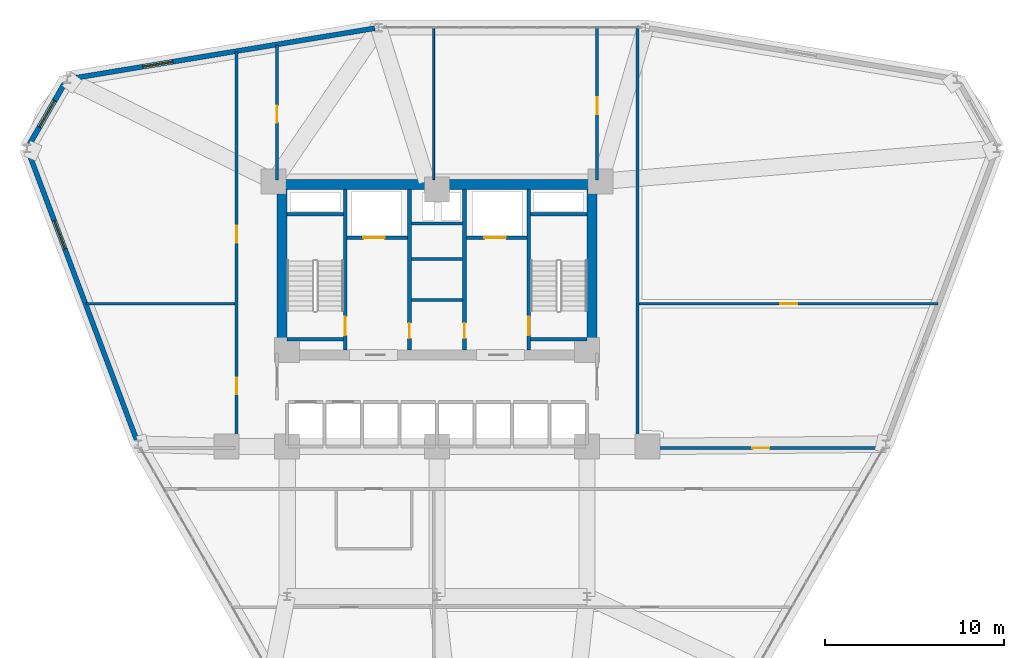
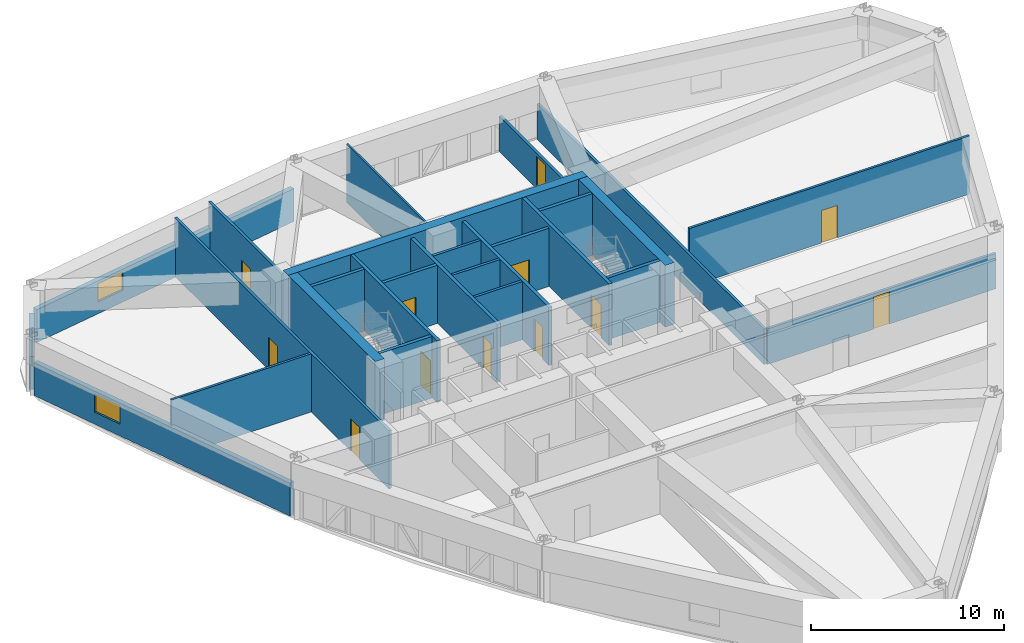
# One storey, part 14 of 17: 27 walls, 12 doors, 3 windows, 15 openings.
"""IFC4 building model written with IfcOpenShell, lengths in metres."""

from ifc_helpers import new_model, si_unit, derived_unit, direction, frame, frame_2d, origin, place, context, subcontext, project, spatial, rectangle, extrude, material, layer, layer_set, type_object, element, fill, save


model = new_model("IFC4")

# Units and contexts
model_context = context("Model", 3, precision=1e-05, world=origin(), true_north=direction((0.0, 1.0)))
body_context = subcontext(model_context, "Body", "Model", "MODEL_VIEW")
ifc_project = project(units=[si_unit("LENGTHUNIT", "METRE"), si_unit("AREAUNIT", "SQUARE_METRE"), si_unit("VOLUMEUNIT", "CUBIC_METRE"), si_unit("PLANEANGLEUNIT", "RADIAN"), si_unit("MASSUNIT", "GRAM", prefix="KILO"), derived_unit("THERMALTRANSMITTANCEUNIT", [(si_unit("POWERUNIT", "WATT"), 1), (si_unit("LENGTHUNIT", "METRE"), -2), (si_unit("THERMODYNAMICTEMPERATUREUNIT", "KELVIN"), -1)])], contexts=[model_context])

# Site, building, storey
site_placement = place(None, origin())
site = spatial("IfcSite", under=ifc_project, at=site_placement, CompositionType="ELEMENT")
building_placement = place(site_placement, origin())
building = spatial("IfcBuilding", under=site, at=building_placement, Name="Korsvarv Bourse and Concert Hall", CompositionType="ELEMENT")
storey_placement = place(building_placement, frame((0.0, 0.0, 83.39990234375)))
storey = spatial("IfcBuildingStorey", under=building, at=storey_placement, Name="L20", CompositionType="ELEMENT", Elevation=83.39990234375)

# Wall, opening, door
ifc_material_1 = material(Name="Concrete C50/60", Category="concrete")
ifc_layer_1 = layer(ifc_material_1, 0.3798828125)
ifc_layer_set_1 = layer_set([ifc_layer_1], Name="Concrete C50/60")
wall_type_1 = type_object("IfcWallType", Name="WL-CORE-380", PredefinedType="SHEAR", material=ifc_layer_set_1)
wall_1_placement = place(storey_placement, frame((30.860107421875, 37.81005859375, 0.0), z_axis=(0.0, 0.0, 1.0), x_axis=(0.0, 1.0, 0.0)))
wall_1 = element("IfcWall", 1, at=wall_1_placement, inside=storey, type_object=wall_type_1, Name="L20 stair shaft structural wall W-L20-ST1-E", PredefinedType="SHEAR", context=body_context, shape_type="SweptSolid", body=[
    extrude(rectangle(XDim=8.97998046875, YDim=0.199951171875, at=frame_2d((4.489990234375, 0.0))), origin(), (0.0, 0.0, 1.0), 3.900146484375),
])
opening_1_placement = place(wall_1_placement, frame((0.820068359375, 0.0, 0.0)))
opening_1 = element("IfcOpeningElement", 2, at=opening_1_placement, cuts=wall_1, Name="Opening D-01", PredefinedType="OPENING", context=body_context, shape_type="SweptSolid", body=[
    extrude(rectangle(XDim=1.050048828125, YDim=2.10009765625, at=frame_2d((0.52490234375, 1.050048828125))), frame((0.0, 0.10986328125, 0.0), z_axis=(0.0, -1.0, 0.0), x_axis=(1.0, 0.0, 0.0)), (0.0, 0.0, 1.0), 0.219970703125),
])
ifc_material_2 = material(Name="Steel S355 fire door", Category="steel")
door_type_1 = type_object("IfcDoorType", Name="DR-FD60", OperationType="NOTDEFINED", PredefinedType="DOOR", material=ifc_material_2)
door_1_placement = place(opening_1_placement, origin())
door_1 = element("IfcDoor", 3, at=door_1_placement, inside=storey, type_object=door_type_1, Name="L20 interior door DR-L20-ST1", OperationType="SINGLE_SWING_RIGHT", OverallHeight=2.10009765625, OverallWidth=1.050048828125, PredefinedType="DOOR", context=body_context, shape_type="SweptSolid", body=[
    extrude(rectangle(XDim=1.050048828125, YDim=2.10009765625, at=frame_2d((0.52490234375, 1.050048828125))), frame((0.0, 0.02490234375, 0.0), z_axis=(0.0, -1.0, 0.0), x_axis=(1.0, 0.0, 0.0)), (0.0, 0.0, 1.0), 0.050048828125),
])
fill(opening_1, door_1)

# Walls
for number, where, z_axis, x_axis, name in (
    (4, (27.610107421875, 45.39990234375, 0.0), (0.0, 0.0, 1.0), (1.0, 0.0, 0.0), "L20 stair shaft structural wall W-L20-ST1-N"),
    (5, (27.610107421875, 38.39990234375, 0.0), (0.0, 0.0, 1.0), (1.0, 0.0, 0.0), "L20 stair shaft structural wall W-L20-ST1-S"),
):
    element("IfcWall", number, at=place(storey_placement, frame(where, z_axis=z_axis, x_axis=x_axis)), inside=storey, type_object=wall_type_1, Name=name, PredefinedType="SHEAR", context=body_context, shape_type="SweptSolid", body=[
        extrude(rectangle(XDim=3.139892578125, YDim=0.199951171875, at=frame_2d((1.56982421875, 0.0))), origin(), (0.0, 0.0, 1.0), 3.900146484375),
    ])

# Wall, opening, door
wall_2_placement = place(storey_placement, frame((41.139892578125, 37.81005859375, 0.0), z_axis=(0.0, 0.0, 1.0), x_axis=(0.0, 1.0, 0.0)))
wall_2 = element("IfcWall", 6, at=wall_2_placement, inside=storey, type_object=wall_type_1, Name="L20 stair shaft structural wall W-L20-ST2-W", PredefinedType="SHEAR", context=body_context, shape_type="SweptSolid", body=[
    extrude(rectangle(XDim=8.97998046875, YDim=0.199951171875, at=frame_2d((4.489990234375, 0.0))), origin(), (0.0, 0.0, 1.0), 3.900146484375),
])
opening_2_placement = place(wall_2_placement, frame((0.820068359375, 0.0, 0.0)))
opening_2 = element("IfcOpeningElement", 7, at=opening_2_placement, cuts=wall_2, Name="Opening D-01", PredefinedType="OPENING", context=body_context, shape_type="SweptSolid", body=[
    extrude(rectangle(XDim=1.050048828125, YDim=2.10009765625, at=frame_2d((0.52490234375, 1.050048828125))), frame((0.0, 0.10986328125, 0.0), z_axis=(0.0, -1.0, 0.0), x_axis=(1.0, 0.0, 0.0)), (0.0, 0.0, 1.0), 0.219970703125),
])
door_2_placement = place(opening_2_placement, frame((1.050048828125, 0.0, 0.0), z_axis=(0.0, 0.0, 1.0), x_axis=(-1.0, 0.0, 0.0)))
door_2 = element("IfcDoor", 8, at=door_2_placement, inside=storey, type_object=door_type_1, Name="L20 interior door DR-L20-ST2", OperationType="SINGLE_SWING_LEFT", OverallHeight=2.10009765625, OverallWidth=1.050048828125, PredefinedType="DOOR", context=body_context, shape_type="SweptSolid", body=[
    extrude(rectangle(XDim=1.050048828125, YDim=2.10009765625, at=frame_2d((0.52490234375, 1.050048828125))), frame((0.0, 0.02490234375, 0.0), z_axis=(0.0, -1.0, 0.0), x_axis=(1.0, 0.0, 0.0)), (0.0, 0.0, 1.0), 0.050048828125),
])
fill(opening_2, door_2)

# Walls
for number, where, z_axis, x_axis, name in (
    (9, (41.25, 45.39990234375, 0.0), (0.0, 0.0, 1.0), (1.0, 0.0, 0.0), "L20 stair shaft structural wall W-L20-ST2-N"),
    (10, (41.25, 38.39990234375, 0.0), (0.0, 0.0, 1.0), (1.0, 0.0, 0.0), "L20 stair shaft structural wall W-L20-ST2-S"),
):
    element("IfcWall", number, at=place(storey_placement, frame(where, z_axis=z_axis, x_axis=x_axis)), inside=storey, type_object=wall_type_1, Name=name, PredefinedType="SHEAR", context=body_context, shape_type="SweptSolid", body=[
        extrude(rectangle(XDim=3.139892578125, YDim=0.199951171875, at=frame_2d((1.56982421875, 0.0))), origin(), (0.0, 0.0, 1.0), 3.900146484375),
    ])
ifc_material_3 = material(Name="Concrete C60/75", Category="concrete")
ifc_layer_2 = layer(ifc_material_3, 0.550048828125)
ifc_layer_set_2 = layer_set([ifc_layer_2], Name="Concrete C60/75")
wall_type_2 = type_object("IfcWallType", Name="WL-CORE-550", PredefinedType="SHEAR", material=ifc_layer_set_2)
wall_3_placement = place(storey_placement, frame((27.050048828125, 47.074951171875, 0.0), z_axis=(0.0, 0.0, 1.0), x_axis=(1.0, 0.0, 0.0)))
element("IfcWall", 11, at=wall_3_placement, inside=storey, type_object=wall_type_2, Name="L20 North Core Shear Wall", PredefinedType="SHEAR", context=body_context, shape_type="SweptSolid", body=[
    extrude(rectangle(XDim=17.89990234375, YDim=0.550048828125, at=frame_2d((8.949951171875, 0.0))), origin(), (0.0, 0.0, 1.0), 3.900146484375),
])
for number, where, z_axis, x_axis, name in (
    (12, (27.324951171875, 37.800048828125, 0.0), (0.0, 0.0, 1.0), (0.0, 1.0, 0.0), "L20 West Core Shear Wall"),
    (13, (44.675048828125, 37.800048828125, 0.0), (0.0, 0.0, 1.0), (0.0, 1.0, 0.0), "L20 East Core Shear Wall"),
):
    element("IfcWall", number, at=place(storey_placement, frame(where, z_axis=z_axis, x_axis=x_axis)), inside=storey, type_object=wall_type_2, Name=name, PredefinedType="SHEAR", context=body_context, shape_type="SweptSolid", body=[
        extrude(rectangle(XDim=9.0, YDim=0.550048828125, at=frame_2d((4.5, 0.0))), origin(), (0.0, 0.0, 1.0), 3.900146484375),
    ])

# Wall, opening, window
ifc_material_4 = material(Name="Precast concrete C45/55 with terracotta rainscreen", Category="concrete")
ifc_layer_3 = layer(ifc_material_4, 0.300048828125)
ifc_layer_set_3 = layer_set([ifc_layer_3], Name="Precast concrete C45/55 with terracotta rainscreen")
wall_type_3 = type_object("IfcWallType", Name="WL-EXT-TC1", PredefinedType="SOLIDWALL", material=ifc_layer_set_3)
wall_4_placement = place(storey_placement, frame((15.13232421875, 52.72998046875, 0.0), z_axis=(0.0, 0.0, 1.0), x_axis=(-0.500014353419, -0.866017116675, 0.0)))
wall_4 = element("IfcWall", 14, at=wall_4_placement, inside=storey, type_object=wall_type_3, Name="L20 terracotta exterior wall EW-L20-B05", PredefinedType="SOLIDWALL", context=body_context, shape_type="SweptSolid", body=[
    extrude(rectangle(XDim=3.90966796875, YDim=0.300048828125, at=frame_2d((1.954833984375, 0.0))), origin(), (0.0, 0.0, 1.0), 2.080078125),
])
opening_3_placement = place(wall_4_placement, frame((1.104736328125, 0.0, 0.75)))
opening_3 = element("IfcOpeningElement", 15, at=opening_3_placement, cuts=wall_4, Name="Opening W-06", PredefinedType="OPENING", context=body_context, shape_type="SweptSolid", body=[
    extrude(rectangle(XDim=1.699951171875, YDim=1.14990234375, at=frame_2d((0.85009765625, 0.574951171875))), frame((0.0, 0.16015625, 0.0), z_axis=(0.0, -1.0, 0.0), x_axis=(1.0, 0.0, 0.0)), (0.0, 0.0, 1.0), 0.320068359375),
])
ifc_material_5 = material(Name="Thermally broken aluminium frame with triple low-E glass", Category="glass")
window_type = type_object("IfcWindowType", Name="WIN-TW1-1700X1150", PartitioningType="SINGLE_PANEL", PredefinedType="WINDOW", material=ifc_material_5)
window_1_placement = place(opening_3_placement, origin())
window_1 = element("IfcWindow", 16, at=window_1_placement, inside=storey, type_object=window_type, Name="L20 punched facade window W-06", OverallHeight=1.14990234375, OverallWidth=1.699951171875, PartitioningType="SINGLE_PANEL", PredefinedType="WINDOW", context=body_context, shape_type="SweptSolid", body=[
    extrude(rectangle(XDim=1.699951171875, YDim=1.14990234375, at=frame_2d((0.85009765625, 0.574951171875))), frame((0.0, 0.030029296875, 0.0), z_axis=(0.0, -1.0, 0.0), x_axis=(1.0, 0.0, 0.0)), (0.0, 0.0, 1.0), 0.06005859375),
])
fill(opening_3, window_1)

ifc_material_6 = material(Name="Precast concrete C45/55 with fluted terracotta pier", Category="concrete")
ifc_layer_4 = layer(ifc_material_6, 0.280029296875)
ifc_layer_set_4 = layer_set([ifc_layer_4], Name="Precast concrete C45/55 with fluted terracotta pier")
wall_type_4 = type_object("IfcWallType", Name="WL-EXT-TC2", PredefinedType="SOLIDWALL", material=ifc_layer_set_4)
wall_5_placement = place(storey_placement, frame((32.514404296875, 55.831787109375, 0.0), z_axis=(0.0, 0.0, 1.0), x_axis=(-0.986523610756, -0.163618964122, 0.0)))
wall_5 = element("IfcWall", 17, at=wall_5_placement, inside=storey, type_object=wall_type_4, Name="L20 terracotta exterior wall EW-L20-B04", PredefinedType="SOLIDWALL", context=body_context, shape_type="SweptSolid", body=[
    extrude(rectangle(XDim=17.258056640625, YDim=0.280029296875, at=frame_2d((8.62890625, 0.0))), origin(), (0.0, 0.0, 1.0), 2.080078125),
])
opening_4_placement = place(wall_5_placement, frame((11.468505859375, 0.0, 0.75)))
opening_4 = element("IfcOpeningElement", 18, at=opening_4_placement, cuts=wall_5, Name="Opening W-06", PredefinedType="OPENING", context=body_context, shape_type="SweptSolid", body=[
    extrude(rectangle(XDim=1.699951171875, YDim=1.14990234375, at=frame_2d((0.85009765625, 0.574951171875))), frame((0.0, 0.14990234375, 0.0), z_axis=(0.0, -1.0, 0.0), x_axis=(1.0, 0.0, 0.0)), (0.0, 0.0, 1.0), 0.300048828125),
])
window_2_placement = place(opening_4_placement, origin())
window_2 = element("IfcWindow", 19, at=window_2_placement, inside=storey, type_object=window_type, Name="L20 punched facade window W-06", OverallHeight=1.14990234375, OverallWidth=1.699951171875, PartitioningType="SINGLE_PANEL", PredefinedType="WINDOW", context=body_context, shape_type="SweptSolid", body=[
    extrude(rectangle(XDim=1.699951171875, YDim=1.14990234375, at=frame_2d((0.85009765625, 0.574951171875))), frame((0.0, 0.030029296875, 0.0), z_axis=(0.0, -1.0, 0.0), x_axis=(1.0, 0.0, 0.0)), (0.0, 0.0, 1.0), 0.06005859375),
])
fill(opening_4, window_2)

wall_6_placement = place(storey_placement, frame((13.128662109375, 48.860107421875, 0.0), z_axis=(0.0, 0.0, 1.0), x_axis=(0.351559441404, -0.936165561832, 0.0)))
wall_6 = element("IfcWall", 20, at=wall_6_placement, inside=storey, type_object=wall_type_4, Name="L20 terracotta exterior wall EW-L20-B06", PredefinedType="SOLIDWALL", context=body_context, shape_type="SweptSolid", body=[
    extrude(rectangle(XDim=17.1806640625, YDim=0.280029296875, at=frame_2d((8.59033203125, 0.0))), origin(), (0.0, 0.0, 1.0), 2.080078125),
])
opening_5_placement = place(wall_6_placement, frame((4.0703125, 0.0, 0.75)))
opening_5 = element("IfcOpeningElement", 21, at=opening_5_placement, cuts=wall_6, Name="Opening W-06", PredefinedType="OPENING", context=body_context, shape_type="SweptSolid", body=[
    extrude(rectangle(XDim=1.699951171875, YDim=1.14990234375, at=frame_2d((0.85009765625, 0.574951171875))), frame((0.0, 0.14990234375, 0.0), z_axis=(0.0, -1.0, 0.0), x_axis=(1.0, 0.0, 0.0)), (0.0, 0.0, 1.0), 0.300048828125),
])
window_3_placement = place(opening_5_placement, origin())
window_3 = element("IfcWindow", 22, at=window_3_placement, inside=storey, type_object=window_type, Name="L20 punched facade window W-06", OverallHeight=1.14990234375, OverallWidth=1.699951171875, PartitioningType="SINGLE_PANEL", PredefinedType="WINDOW", context=body_context, shape_type="SweptSolid", body=[
    extrude(rectangle(XDim=1.699951171875, YDim=1.14990234375, at=frame_2d((0.85009765625, 0.574951171875))), frame((0.0, 0.030029296875, 0.0), z_axis=(0.0, -1.0, 0.0), x_axis=(1.0, 0.0, 0.0)), (0.0, 0.0, 1.0), 0.06005859375),
])
fill(opening_5, window_3)

# Wall, opening, door
ifc_material_7 = material(Name="Reinforced concrete blockwork C35/45 fire wall", Category="concrete")
ifc_layer_5 = layer(ifc_material_7, 0.199951171875)
ifc_layer_set_5 = layer_set([ifc_layer_5], Name="Reinforced concrete blockwork C35/45 fire wall")
wall_type_5 = type_object("IfcWallType", Name="WL-INT-EI120", PredefinedType="PARTITIONING", material=ifc_layer_set_5)
wall_7_placement = place(storey_placement, frame((30.969970703125, 44.10009765625, 0.0), z_axis=(0.0, 0.0, 1.0), x_axis=(1.0, 0.0, 0.0)))
wall_7 = element("IfcWall", 23, at=wall_7_placement, inside=storey, type_object=wall_type_5, Name="L20 interior partition wall W-L20-FF1-S", PredefinedType="PARTITIONING", context=body_context, shape_type="SweptSolid", body=[
    extrude(rectangle(XDim=3.380126953125, YDim=0.199951171875, at=frame_2d((1.68994140625, 0.0))), origin(), (0.0, 0.0, 1.0), 3.68017578125),
])
opening_6_placement = place(wall_7_placement, frame((0.89990234375, 0.0, 0.0)))
opening_6 = element("IfcOpeningElement", 24, at=opening_6_placement, cuts=wall_7, Name="Opening LD-1", PredefinedType="OPENING", context=body_context, shape_type="SweptSolid", body=[
    extrude(rectangle(XDim=1.199951171875, YDim=2.10009765625, at=frame_2d((0.60009765625, 1.050048828125))), frame((0.0, 0.10986328125, 0.0), z_axis=(0.0, -1.0, 0.0), x_axis=(1.0, 0.0, 0.0)), (0.0, 0.0, 1.0), 0.219970703125),
])
ifc_material_8 = material(Name="Stainless Steel S355 firefighting lift landing door", Category="steel")
door_type_2 = type_object("IfcDoorType", Name="DR-LIFT-FF", OperationType="DOUBLE_DOOR_SLIDING", PredefinedType="DOOR", material=ifc_material_8)
door_3_placement = place(opening_6_placement, origin())
door_3 = element("IfcDoor", 25, at=door_3_placement, inside=storey, type_object=door_type_2, Name="L20 lift sliding landing door LD-L20-FF1", OperationType="DOUBLE_DOOR_SLIDING", OverallHeight=2.10009765625, OverallWidth=1.199951171875, PredefinedType="DOOR", context=body_context, shape_type="SweptSolid", body=[
    extrude(rectangle(XDim=1.199951171875, YDim=2.10009765625, at=frame_2d((0.60009765625, 1.050048828125))), frame((0.0, 0.02490234375, 0.0), z_axis=(0.0, -1.0, 0.0), x_axis=(1.0, 0.0, 0.0)), (0.0, 0.0, 1.0), 0.050048828125),
])
fill(opening_6, door_3)

wall_8_placement = place(storey_placement, frame((37.64990234375, 44.10009765625, 0.0), z_axis=(0.0, 0.0, 1.0), x_axis=(1.0, 0.0, 0.0)))
wall_8 = element("IfcWall", 26, at=wall_8_placement, inside=storey, type_object=wall_type_5, Name="L20 interior partition wall W-L20-FF2-S", PredefinedType="PARTITIONING", context=body_context, shape_type="SweptSolid", body=[
    extrude(rectangle(XDim=3.380126953125, YDim=0.199951171875, at=frame_2d((1.68994140625, 0.0))), origin(), (0.0, 0.0, 1.0), 3.68017578125),
])
opening_7_placement = place(wall_8_placement, frame((1.0, 0.0, 0.0)))
opening_7 = element("IfcOpeningElement", 27, at=opening_7_placement, cuts=wall_8, Name="Opening LD-1", PredefinedType="OPENING", context=body_context, shape_type="SweptSolid", body=[
    extrude(rectangle(XDim=1.199951171875, YDim=2.10009765625, at=frame_2d((0.60009765625, 1.050048828125))), frame((0.0, 0.10986328125, 0.0), z_axis=(0.0, -1.0, 0.0), x_axis=(1.0, 0.0, 0.0)), (0.0, 0.0, 1.0), 0.219970703125),
])
door_4_placement = place(opening_7_placement, origin())
door_4 = element("IfcDoor", 28, at=door_4_placement, inside=storey, type_object=door_type_2, Name="L20 lift sliding landing door LD-L20-FF2", OperationType="DOUBLE_DOOR_SLIDING", OverallHeight=2.10009765625, OverallWidth=1.199951171875, PredefinedType="DOOR", context=body_context, shape_type="SweptSolid", body=[
    extrude(rectangle(XDim=1.199951171875, YDim=2.10009765625, at=frame_2d((0.60009765625, 1.050048828125))), frame((0.0, 0.02490234375, 0.0), z_axis=(0.0, -1.0, 0.0), x_axis=(1.0, 0.0, 0.0)), (0.0, 0.0, 1.0), 0.050048828125),
])
fill(opening_7, door_4)

wall_9_placement = place(storey_placement, frame((34.4599609375, 37.81005859375, 0.0), z_axis=(0.0, 0.0, 1.0), x_axis=(0.0, 1.0, 0.0)))
wall_9 = element("IfcWall", 29, at=wall_9_placement, inside=storey, type_object=wall_type_5, Name="L20 interior partition wall W-L20-CSB-W", PredefinedType="PARTITIONING", context=body_context, shape_type="SweptSolid", body=[
    extrude(rectangle(XDim=8.97998046875, YDim=0.199951171875, at=frame_2d((4.489990234375, 0.0))), origin(), (0.0, 0.0, 1.0), 3.68017578125),
])
opening_8_placement = place(wall_9_placement, frame((0.64990234375, 0.0, 0.0)))
opening_8 = element("IfcOpeningElement", 30, at=opening_8_placement, cuts=wall_9, Name="Opening D-05", PredefinedType="OPENING", context=body_context, shape_type="SweptSolid", body=[
    extrude(rectangle(XDim=0.85009765625, YDim=2.050048828125, at=frame_2d((0.425048828125, 1.02490234375))), frame((0.0, 0.10986328125, 0.0), z_axis=(0.0, -1.0, 0.0), x_axis=(1.0, 0.0, 0.0)), (0.0, 0.0, 1.0), 0.219970703125),
])
door_type_3 = type_object("IfcDoorType", Name="DR-FD60-850X2050", OperationType="NOTDEFINED", PredefinedType="DOOR", material=ifc_material_2)
door_5_placement = place(opening_8_placement, frame((0.85009765625, 0.0, 0.0), z_axis=(0.0, 0.0, 1.0), x_axis=(-1.0, 0.0, 0.0)))
door_5 = element("IfcDoor", 31, at=door_5_placement, inside=storey, type_object=door_type_3, Name="L20 interior door DR-L20-CSB1", OperationType="SINGLE_SWING_RIGHT", OverallHeight=2.050048828125, OverallWidth=0.85009765625, PredefinedType="DOOR", context=body_context, shape_type="SweptSolid", body=[
    extrude(rectangle(XDim=0.85009765625, YDim=2.050048828125, at=frame_2d((0.425048828125, 1.02490234375))), frame((0.0, 0.02490234375, 0.0), z_axis=(0.0, -1.0, 0.0), x_axis=(1.0, 0.0, 0.0)), (0.0, 0.0, 1.0), 0.050048828125),
])
fill(opening_8, door_5)

wall_10_placement = place(storey_placement, frame((37.5400390625, 37.81005859375, 0.0), z_axis=(0.0, 0.0, 1.0), x_axis=(0.0, 1.0, 0.0)))
wall_10 = element("IfcWall", 32, at=wall_10_placement, inside=storey, type_object=wall_type_5, Name="L20 interior partition wall W-L20-CSB-E", PredefinedType="PARTITIONING", context=body_context, shape_type="SweptSolid", body=[
    extrude(rectangle(XDim=8.97998046875, YDim=0.199951171875, at=frame_2d((4.489990234375, 0.0))), origin(), (0.0, 0.0, 1.0), 3.68017578125),
])
opening_9_placement = place(wall_10_placement, frame((0.64990234375, 0.0, 0.0)))
opening_9 = element("IfcOpeningElement", 33, at=opening_9_placement, cuts=wall_10, Name="Opening D-05", PredefinedType="OPENING", context=body_context, shape_type="SweptSolid", body=[
    extrude(rectangle(XDim=0.85009765625, YDim=2.050048828125, at=frame_2d((0.425048828125, 1.02490234375))), frame((0.0, 0.10986328125, 0.0), z_axis=(0.0, -1.0, 0.0), x_axis=(1.0, 0.0, 0.0)), (0.0, 0.0, 1.0), 0.219970703125),
])
door_6_placement = place(opening_9_placement, origin())
door_6 = element("IfcDoor", 34, at=door_6_placement, inside=storey, type_object=door_type_3, Name="L20 interior door DR-L20-CSB2", OperationType="SINGLE_SWING_LEFT", OverallHeight=2.050048828125, OverallWidth=0.85009765625, PredefinedType="DOOR", context=body_context, shape_type="SweptSolid", body=[
    extrude(rectangle(XDim=0.85009765625, YDim=2.050048828125, at=frame_2d((0.425048828125, 1.02490234375))), frame((0.0, 0.02490234375, 0.0), z_axis=(0.0, -1.0, 0.0), x_axis=(1.0, 0.0, 0.0)), (0.0, 0.0, 1.0), 0.050048828125),
])
fill(opening_9, door_6)

# Walls
ifc_material_9 = material(Name="Double-stud fire-rated acoustic partition", Category="gypsum")
ifc_layer_6 = layer(ifc_material_9, 0.159912109375)
ifc_layer_set_6 = layer_set([ifc_layer_6], Name="Double-stud fire-rated acoustic partition")
wall_type_6 = type_object("IfcWallType", Name="WL-INT-EI60", PredefinedType="PARTITIONING", material=ifc_layer_set_6)
for number, where, z_axis, x_axis, name in (
    (35, (34.570068359375, 40.60009765625, 0.0), (0.0, 0.0, 1.0), (1.0, 0.0, 0.0), "L20 interior partition wall W-L20-K1"),
    (36, (34.570068359375, 42.89990234375, 0.0), (0.0, 0.0, 1.0), (1.0, 0.0, 0.0), "L20 interior partition wall W-L20-K2"),
    (37, (34.570068359375, 44.89990234375, 0.0), (0.0, 0.0, 1.0), (1.0, 0.0, 0.0), "L20 interior partition wall W-L20-K3"),
):
    element("IfcWall", number, at=place(storey_placement, frame(where, z_axis=z_axis, x_axis=x_axis)), inside=storey, type_object=wall_type_6, Name=name, PredefinedType="PARTITIONING", context=body_context, shape_type="SweptSolid", body=[
        extrude(rectangle(XDim=2.85986328125, YDim=0.159912109375, at=frame_2d((1.429931640625, 0.0))), origin(), (0.0, 0.0, 1.0), 3.68017578125),
    ])
wall_11_placement = place(storey_placement, frame((47.22509765625, 32.31005859375, 0.0), z_axis=(0.0, 0.0, 1.0), x_axis=(0.0, 1.0, 0.0)))
element("IfcWall", 38, at=wall_11_placement, inside=storey, type_object=wall_type_6, Name="L20 interior partition wall W-L20-TCOR-02", PredefinedType="PARTITIONING", context=body_context, shape_type="SweptSolid", body=[
    extrude(rectangle(XDim=23.53759765625, YDim=0.159912109375, at=frame_2d((11.768798828125, 0.0))), origin(), (0.0, 0.0, 1.0), 2.239990234375),
])

# Wall, openings, doors
wall_12_placement = place(storey_placement, frame((24.77490234375, 32.31005859375, 0.0), z_axis=(0.0, 0.0, 1.0), x_axis=(0.0, 1.0, 0.0)))
wall_12 = element("IfcWall", 39, at=wall_12_placement, inside=storey, type_object=wall_type_6, Name="L20 interior partition wall W-L20-TCOR-03", PredefinedType="PARTITIONING", context=body_context, shape_type="SweptSolid", body=[
    extrude(rectangle(XDim=22.218017578125, YDim=0.159912109375, at=frame_2d((11.10888671875, 0.0))), origin(), (0.0, 0.0, 1.0), 3.68017578125),
])
opening_10_placement = place(wall_12_placement, frame((3.00537109375, 0.0, 0.0)))
opening_10 = element("IfcOpeningElement", 40, at=opening_10_placement, cuts=wall_12, Name="Opening D-02", PredefinedType="OPENING", context=body_context, shape_type="SweptSolid", body=[
    extrude(rectangle(XDim=0.949951171875, YDim=2.050048828125, at=frame_2d((0.47509765625, 1.02490234375))), frame((0.0, 0.08984375, 0.0), z_axis=(0.0, -1.0, 0.0), x_axis=(1.0, 0.0, 0.0)), (0.0, 0.0, 1.0), 0.179931640625),
])
opening_11_placement = place(wall_12_placement, frame((11.515625, 0.0, 0.0)))
opening_11 = element("IfcOpeningElement", 41, at=opening_11_placement, cuts=wall_12, Name="Opening D-02", PredefinedType="OPENING", context=body_context, shape_type="SweptSolid", body=[
    extrude(rectangle(XDim=0.949951171875, YDim=2.050048828125, at=frame_2d((0.47509765625, 1.02490234375))), frame((0.0, 0.08984375, 0.0), z_axis=(0.0, -1.0, 0.0), x_axis=(1.0, 0.0, 0.0)), (0.0, 0.0, 1.0), 0.179931640625),
])
ifc_material_10 = material(Name="Timber and steel acoustic fire door", Category="wood")
door_type_4 = type_object("IfcDoorType", Name="DR-FD30", OperationType="NOTDEFINED", PredefinedType="DOOR", material=ifc_material_10)
door_7_placement = place(opening_10_placement, origin())
door_7 = element("IfcDoor", 42, at=door_7_placement, inside=storey, type_object=door_type_4, Name="L20 interior door DR-L20-TCOR-NWL9", OperationType="SINGLE_SWING_LEFT", OverallHeight=2.050048828125, OverallWidth=0.949951171875, PredefinedType="DOOR", context=body_context, shape_type="SweptSolid", body=[
    extrude(rectangle(XDim=0.949951171875, YDim=2.050048828125, at=frame_2d((0.47509765625, 1.02490234375))), frame((0.0, 0.02490234375, 0.0), z_axis=(0.0, -1.0, 0.0), x_axis=(1.0, 0.0, 0.0)), (0.0, 0.0, 1.0), 0.050048828125),
])
fill(opening_10, door_7)
door_8_placement = place(opening_11_placement, origin())
door_8 = element("IfcDoor", 43, at=door_8_placement, inside=storey, type_object=door_type_4, Name="L20 interior door DR-L20-TCOR-NWC210", OperationType="SINGLE_SWING_RIGHT", OverallHeight=2.050048828125, OverallWidth=0.949951171875, PredefinedType="DOOR", context=body_context, shape_type="SweptSolid", body=[
    extrude(rectangle(XDim=0.949951171875, YDim=2.050048828125, at=frame_2d((0.47509765625, 1.02490234375))), frame((0.0, 0.02490234375, 0.0), z_axis=(0.0, -1.0, 0.0), x_axis=(1.0, 0.0, 0.0)), (0.0, 0.0, 1.0), 0.050048828125),
])
fill(opening_11, door_8)

# Wall, opening, door
wall_13_placement = place(storey_placement, frame((47.306884765625, 32.31494140625, 0.0), z_axis=(0.0, 0.0, 1.0), x_axis=(1.0, 0.0, 0.0)))
wall_13 = element("IfcWall", 44, at=wall_13_placement, inside=storey, type_object=wall_type_6, Name="L20 interior partition wall W-L20-TCOR-04", PredefinedType="PARTITIONING", context=body_context, shape_type="SweptSolid", body=[
    extrude(rectangle(XDim=13.686767578125, YDim=0.159912109375, at=frame_2d((6.84326171875, 0.0))), origin(), (0.0, 0.0, 1.0), 2.239990234375),
])
opening_12_placement = place(wall_13_placement, frame((6.354248046875, 0.0, 0.0)))
opening_12 = element("IfcOpeningElement", 45, at=opening_12_placement, cuts=wall_13, Name="Opening D-02", PredefinedType="OPENING", context=body_context, shape_type="SweptSolid", body=[
    extrude(rectangle(XDim=0.949951171875, YDim=2.050048828125, at=frame_2d((0.47509765625, 1.02490234375))), frame((0.0, 0.08984375, 0.0), z_axis=(0.0, -1.0, 0.0), x_axis=(1.0, 0.0, 0.0)), (0.0, 0.0, 1.0), 0.179931640625),
])
door_9_placement = place(opening_12_placement, origin())
door_9 = element("IfcDoor", 46, at=door_9_placement, inside=storey, type_object=door_type_4, Name="L20 interior door DR-L20-TCOR-NEL1", OperationType="SINGLE_SWING_LEFT", OverallHeight=2.050048828125, OverallWidth=0.949951171875, PredefinedType="DOOR", context=body_context, shape_type="SweptSolid", body=[
    extrude(rectangle(XDim=0.949951171875, YDim=2.050048828125, at=frame_2d((0.47509765625, 1.02490234375))), frame((0.0, 0.02490234375, 0.0), z_axis=(0.0, -1.0, 0.0), x_axis=(1.0, 0.0, 0.0)), (0.0, 0.0, 1.0), 0.050048828125),
])
fill(opening_12, door_9)

wall_14_placement = place(storey_placement, frame((44.965087890625, 47.340087890625, 0.0), z_axis=(0.0, 0.0, 1.0), x_axis=(0.0, 1.0, 0.0)))
wall_14 = element("IfcWall", 47, at=wall_14_placement, inside=storey, type_object=wall_type_6, Name="L20 interior partition wall W-L20-TCOR-05", PredefinedType="PARTITIONING", context=body_context, shape_type="SweptSolid", body=[
    extrude(rectangle(XDim=8.507568359375, YDim=0.159912109375, at=frame_2d((4.25390625, 0.0))), origin(), (0.0, 0.0, 1.0), 2.239990234375),
])
opening_13_placement = place(wall_14_placement, frame((3.674072265625, 0.0, 0.0)))
opening_13 = element("IfcOpeningElement", 48, at=opening_13_placement, cuts=wall_14, Name="Opening D-02", PredefinedType="OPENING", context=body_context, shape_type="SweptSolid", body=[
    extrude(rectangle(XDim=0.949951171875, YDim=2.050048828125, at=frame_2d((0.47509765625, 1.02490234375))), frame((0.0, 0.08984375, 0.0), z_axis=(0.0, -1.0, 0.0), x_axis=(1.0, 0.0, 0.0)), (0.0, 0.0, 1.0), 0.179931640625),
])
door_10_placement = place(opening_13_placement, origin())
door_10 = element("IfcDoor", 49, at=door_10_placement, inside=storey, type_object=door_type_4, Name="L20 interior door DR-L20-TCOR-RM88", OperationType="SINGLE_SWING_RIGHT", OverallHeight=2.050048828125, OverallWidth=0.949951171875, PredefinedType="DOOR", context=body_context, shape_type="SweptSolid", body=[
    extrude(rectangle(XDim=0.949951171875, YDim=2.050048828125, at=frame_2d((0.47509765625, 1.02490234375))), frame((0.0, 0.02490234375, 0.0), z_axis=(0.0, -1.0, 0.0), x_axis=(1.0, 0.0, 0.0)), (0.0, 0.0, 1.0), 0.050048828125),
])
fill(opening_13, door_10)

wall_15_placement = place(storey_placement, frame((27.034912109375, 47.340087890625, 0.0), z_axis=(0.0, 0.0, 1.0), x_axis=(0.0, 1.0, 0.0)))
wall_15 = element("IfcWall", 50, at=wall_15_placement, inside=storey, type_object=wall_type_6, Name="L20 interior partition wall W-L20-TCOR-06", PredefinedType="PARTITIONING", context=body_context, shape_type="SweptSolid", body=[
    extrude(rectangle(XDim=7.562744140625, YDim=0.159912109375, at=frame_2d((3.78125, 0.0))), origin(), (0.0, 0.0, 1.0), 3.68017578125),
])
opening_14_placement = place(wall_15_placement, frame((3.20361328125, 0.0, 0.0)))
opening_14 = element("IfcOpeningElement", 51, at=opening_14_placement, cuts=wall_15, Name="Opening D-02", PredefinedType="OPENING", context=body_context, shape_type="SweptSolid", body=[
    extrude(rectangle(XDim=0.949951171875, YDim=2.050048828125, at=frame_2d((0.47509765625, 1.02490234375))), frame((0.0, 0.08984375, 0.0), z_axis=(0.0, -1.0, 0.0), x_axis=(1.0, 0.0, 0.0)), (0.0, 0.0, 1.0), 0.179931640625),
])
door_11_placement = place(opening_14_placement, origin())
door_11 = element("IfcDoor", 52, at=door_11_placement, inside=storey, type_object=door_type_4, Name="L20 interior door DR-L20-TCOR-RM77", OperationType="SINGLE_SWING_LEFT", OverallHeight=2.050048828125, OverallWidth=0.949951171875, PredefinedType="DOOR", context=body_context, shape_type="SweptSolid", body=[
    extrude(rectangle(XDim=0.949951171875, YDim=2.050048828125, at=frame_2d((0.47509765625, 1.02490234375))), frame((0.0, 0.02490234375, 0.0), z_axis=(0.0, -1.0, 0.0), x_axis=(1.0, 0.0, 0.0)), (0.0, 0.0, 1.0), 0.050048828125),
])
fill(opening_14, door_11)

# Wall
ifc_material_11 = material(Name="Demountable acoustic glass and aluminium dealing partition", Category="aluminium")
ifc_layer_7 = layer(ifc_material_11, 0.110107421875)
ifc_layer_set_7 = layer_set([ifc_layer_7], Name="Demountable acoustic glass and aluminium dealing partition")
wall_type_7 = type_object("IfcWallType", Name="WL-INT-MOV", PredefinedType="MOVABLE", material=ifc_layer_set_7)
wall_16_placement = place(storey_placement, frame((35.804931640625, 47.35205078125, 0.0), z_axis=(0.0, 0.0, 1.0), x_axis=(0.0, 1.0, 0.0)))
element("IfcWall", 53, at=wall_16_placement, inside=storey, type_object=wall_type_7, Name="L20 interior partition wall W-L20-TCOR-11", PredefinedType="MOVABLE", context=body_context, shape_type="SweptSolid", body=[
    extrude(rectangle(XDim=8.49560546875, YDim=0.110107421875, at=frame_2d((4.247802734375, 0.0))), origin(), (0.0, 0.0, 1.0), 3.68017578125),
])

# Wall, opening, door
ifc_material_12 = material(Name="Insulated steel-stud office acoustic partition", Category="gypsum")
ifc_layer_8 = layer(ifc_material_12, 0.139892578125)
ifc_layer_set_8 = layer_set([ifc_layer_8], Name="Insulated steel-stud office acoustic partition")
wall_type_8 = type_object("IfcWallType", Name="WL-INT-P1", PredefinedType="PARTITIONING", material=ifc_layer_set_8)
wall_17_placement = place(storey_placement, frame((47.306884765625, 40.405029296875, 0.0), z_axis=(0.0, 0.0, 1.0), x_axis=(1.0, 0.0, 0.0)))
wall_17 = element("IfcWall", 54, at=wall_17_placement, inside=storey, type_object=wall_type_8, Name="L20 interior partition wall W-L20-TCOR-10", PredefinedType="PARTITIONING", context=body_context, shape_type="SweptSolid", body=[
    extrude(rectangle(XDim=16.769287109375, YDim=0.139892578125, at=frame_2d((8.384765625, 0.0))), origin(), (0.0, 0.0, 1.0), 3.68017578125),
])
opening_15_placement = place(wall_17_placement, frame((7.909423828125, 0.0, 0.0)))
opening_15 = element("IfcOpeningElement", 55, at=opening_15_placement, cuts=wall_17, Name="Opening D-03", PredefinedType="OPENING", context=body_context, shape_type="SweptSolid", body=[
    extrude(rectangle(XDim=0.949951171875, YDim=2.050048828125, at=frame_2d((0.47509765625, 1.02490234375))), frame((0.0, 0.080078125, 0.0), z_axis=(0.0, -1.0, 0.0), x_axis=(1.0, 0.0, 0.0)), (0.0, 0.0, 1.0), 0.159912109375),
])
ifc_material_13 = material(Name="Nordic oak acoustic office door", Category="wood")
door_type_5 = type_object("IfcDoorType", Name="DR-INT-1", OperationType="NOTDEFINED", PredefinedType="DOOR", material=ifc_material_13)
door_12_placement = place(opening_15_placement, origin())
door_12 = element("IfcDoor", 56, at=door_12_placement, inside=storey, type_object=door_type_5, Name="L20 interior door DR-L20-TCOR-NEP22", OperationType="SINGLE_SWING_RIGHT", OverallHeight=2.050048828125, OverallWidth=0.949951171875, PredefinedType="DOOR", context=body_context, shape_type="SweptSolid", body=[
    extrude(rectangle(XDim=0.949951171875, YDim=2.050048828125, at=frame_2d((0.47509765625, 1.02490234375))), frame((0.0, 0.02490234375, 0.0), z_axis=(0.0, -1.0, 0.0), x_axis=(1.0, 0.0, 0.0)), (0.0, 0.0, 1.0), 0.050048828125),
])
fill(opening_15, door_12)

# Wall
wall_18_placement = place(storey_placement, frame((16.323974609375, 40.405029296875, 0.0), z_axis=(0.0, 0.0, 1.0), x_axis=(1.0, 0.0, 0.0)))
element("IfcWall", 57, at=wall_18_placement, inside=storey, type_object=wall_type_8, Name="L20 interior partition wall W-L20-TCOR-12", PredefinedType="PARTITIONING", context=body_context, shape_type="SweptSolid", body=[
    extrude(rectangle(XDim=8.369140625, YDim=0.139892578125, at=frame_2d((4.1845703125, 0.0))), origin(), (0.0, 0.0, 1.0), 3.68017578125),
])

save(model, "model.ifc")
